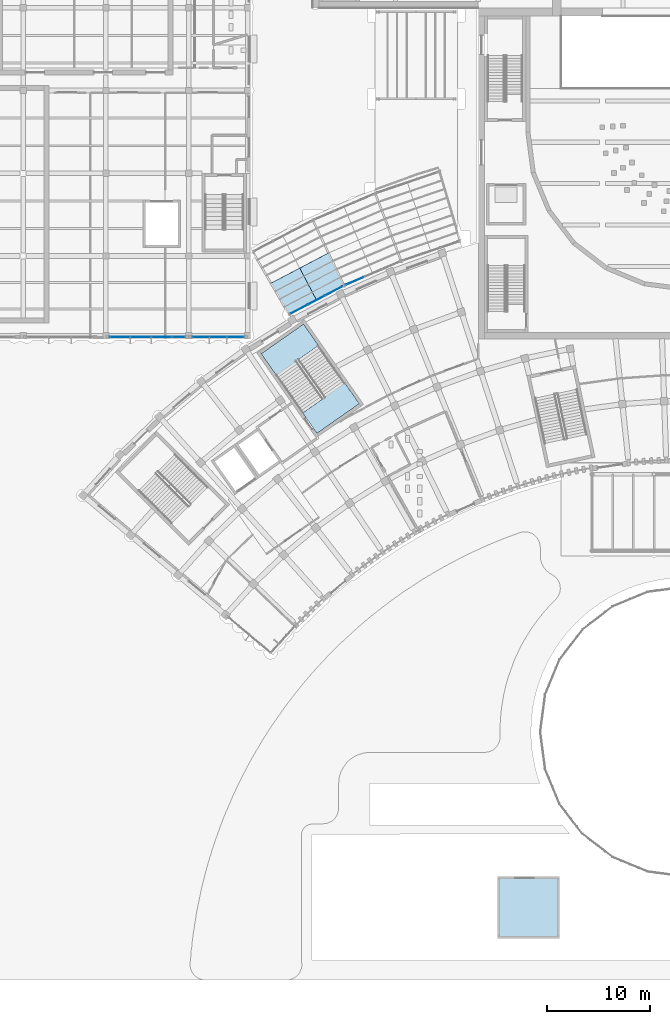
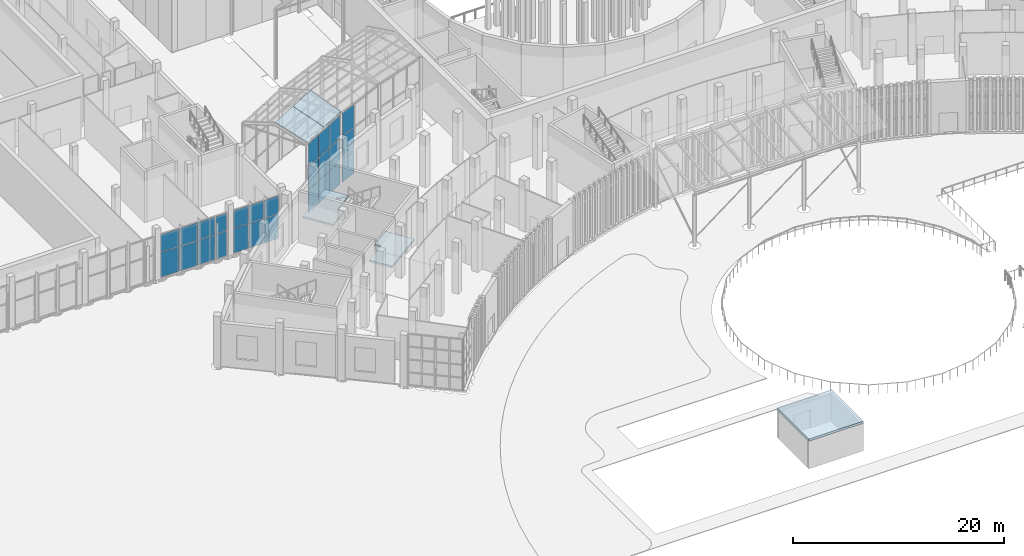
# One storey, part 74 of 155: 28 plates, 3 slabs, 6 elements without a shape of their own.
"""IFC4 building model written with IfcOpenShell, lengths in metres."""

from ifc_helpers import new_model, si_unit, direction, frame, origin, origin_2d, place, context, subcontext, project, spatial, polyline, rectangle, outline, extrude, material, layer, layer_set, type_object, element, aggregate, save


model = new_model("IFC4")

# Units and contexts
model_context = context("Model", 3, precision=1e-05, world=origin(), true_north=direction((0.0, 1.0)))
body_context = subcontext(model_context, "Body", "Model", "MODEL_VIEW")
ifc_project = project(units=[si_unit("LENGTHUNIT", "METRE"), si_unit("AREAUNIT", "SQUARE_METRE"), si_unit("VOLUMEUNIT", "CUBIC_METRE"), si_unit("PLANEANGLEUNIT", "RADIAN"), si_unit("MASSUNIT", "GRAM", prefix="KILO")], contexts=[model_context])

# Site, building, storey
site_placement = place(None, origin())
site = spatial("IfcSite", under=ifc_project, at=site_placement, CompositionType="ELEMENT")
building_placement = place(site_placement, origin())
building = spatial("IfcBuilding", under=site, at=building_placement, Name="Lunette Opera House", CompositionType="ELEMENT")
storey_placement = place(building_placement, origin())
storey = spatial("IfcBuildingStorey", under=building, at=storey_placement, Name="L00", CompositionType="ELEMENT", Elevation=0.0)

# Slab
ifc_material_1 = material(Name="Concrete C35/45", Category="concrete")
ifc_layer_1 = layer(ifc_material_1, 0.219970703125)
ifc_layer_set_1 = layer_set([ifc_layer_1], Name="Concrete C35/45")
slab_type_1 = type_object("IfcSlabType", Name="CORE LANDING SLAB 220", PredefinedType="LANDING", material=ifc_layer_set_1)
slab_1_placement = place(storey_placement, frame((0.0, 0.0, -0.219970703125)))
element("IfcSlab", 1, at=slab_1_placement, inside=storey, type_object=slab_type_1, Name="ST2 floor landing", PredefinedType="LANDING", context=body_context, shape_type="SweptSolid", body=[
    extrude(outline(polyline([(60.39990234375, 54.85107421875), (59.01806640625, 56.824951171875), (60.98388671875, 58.200927734375), (60.989990234375, 58.193115234375), (61.154052734375, 58.30810546875), (60.7529296875, 58.882080078125), (62.718994140625, 60.258056640625), (64.4970703125, 57.718994140625), (60.39990234375, 54.85107421875)])), origin(), (0.0, 0.0, 1.0), 0.219970703125),
])

# Curtain wall, plates
ifc_material_2 = material(Name="Aluminium", Category="aluminium")
ifc_layer_2 = layer(ifc_material_2, 0.139892578125)
ifc_layer_set_2 = layer_set([ifc_layer_2], Name="Aluminium")
curtain_wall_type_1 = type_object("IfcCurtainWallType", Name="PASSAGE CURTAIN WALL", PredefinedType="NOTDEFINED", material=ifc_layer_set_2)
curtain_wall_1_placement = place(storey_placement, origin())
curtain_wall_1 = element("IfcCurtainWall", 2, at=curtain_wall_1_placement, inside=storey, type_object=curtain_wall_type_1, Name="Passage Curtain Wall WI1 L00", PredefinedType="NOTDEFINED")
ifc_material_3 = material(Name="Laminated glass", Category="glass")
ifc_layer_3 = layer(ifc_material_3, 0.028076171875)
ifc_layer_set_3 = layer_set([ifc_layer_3], Name="Laminated glass")
plate_type_1 = type_object("IfcPlateType", Name="CURTAIN PANEL LAMINATED GLASS 28", PredefinedType="CURTAIN_PANEL", material=ifc_layer_set_3)
plate_1_placement = place(storey_placement, frame((58.689208984375, 66.8583984375, 0.06005859375), z_axis=(0.0, 0.0, 1.0), x_axis=(0.885032086135, 0.465530027508, 0.0)))
plate_1 = element("IfcPlate", 3, at=plate_1_placement, type_object=plate_type_1, Name="PP-X2013 panel 1.1", PredefinedType="CURTAIN_PANEL", context=body_context, shape_type="SweptSolid", body=[
    extrude(rectangle(XDim=1.814697265625, YDim=0.028076171875, at=origin_2d()), origin(), (0.0, 0.0, 1.0), 2.610107421875),
])
plate_2_placement = place(storey_placement, frame((58.689208984375, 66.8583984375, 2.72998046875), z_axis=(0.0, 0.0, 1.0), x_axis=(0.885032086135, 0.465530027508, 0.0)))
plate_2 = element("IfcPlate", 4, at=plate_2_placement, type_object=plate_type_1, Name="PP-X2013 panel 1.2", PredefinedType="CURTAIN_PANEL", context=body_context, shape_type="SweptSolid", body=[
    extrude(rectangle(XDim=1.814697265625, YDim=0.028076171875, at=origin_2d()), origin(), (0.0, 0.0, 1.0), 2.639892578125),
])
plate_3_placement = place(storey_placement, frame((58.689208984375, 66.8583984375, 5.43017578125), z_axis=(0.0, 0.0, 1.0), x_axis=(0.885032086135, 0.465530027508, 0.0)))
plate_3 = element("IfcPlate", 5, at=plate_3_placement, type_object=plate_type_1, Name="PP-X2013 panel 1.3", PredefinedType="CURTAIN_PANEL", context=body_context, shape_type="SweptSolid", body=[
    extrude(rectangle(XDim=1.814697265625, YDim=0.028076171875, at=origin_2d()), origin(), (0.0, 0.0, 1.0), 2.610107421875),
])
plate_4_placement = place(storey_placement, frame((60.361572265625, 67.738037109375, 0.06005859375), z_axis=(0.0, 0.0, 1.0), x_axis=(0.885032086135, 0.465530027508, 0.0)))
plate_4 = element("IfcPlate", 6, at=plate_4_placement, type_object=plate_type_1, Name="PP-X2013 panel 2.1", PredefinedType="CURTAIN_PANEL", context=body_context, shape_type="SweptSolid", body=[
    extrude(rectangle(XDim=1.8447265625, YDim=0.028076171875, at=origin_2d()), origin(), (0.0, 0.0, 1.0), 2.610107421875),
])
plate_5_placement = place(storey_placement, frame((60.361572265625, 67.738037109375, 2.72998046875), z_axis=(0.0, 0.0, 1.0), x_axis=(0.885032086135, 0.465530027508, 0.0)))
plate_5 = element("IfcPlate", 7, at=plate_5_placement, type_object=plate_type_1, Name="PP-X2013 panel 2.2", PredefinedType="CURTAIN_PANEL", context=body_context, shape_type="SweptSolid", body=[
    extrude(rectangle(XDim=1.8447265625, YDim=0.028076171875, at=origin_2d()), origin(), (0.0, 0.0, 1.0), 2.639892578125),
])
plate_6_placement = place(storey_placement, frame((60.361572265625, 67.738037109375, 5.43017578125), z_axis=(0.0, 0.0, 1.0), x_axis=(0.885032086135, 0.465530027508, 0.0)))
plate_6 = element("IfcPlate", 8, at=plate_6_placement, type_object=plate_type_1, Name="PP-X2013 panel 2.3", PredefinedType="CURTAIN_PANEL", context=body_context, shape_type="SweptSolid", body=[
    extrude(rectangle(XDim=1.8447265625, YDim=0.028076171875, at=origin_2d()), origin(), (0.0, 0.0, 1.0), 2.610107421875),
])
plate_7_placement = place(storey_placement, frame((62.033935546875, 68.61767578125, 0.06005859375), z_axis=(0.0, 0.0, 1.0), x_axis=(0.885032086135, 0.465530027508, 0.0)))
plate_7 = element("IfcPlate", 9, at=plate_7_placement, type_object=plate_type_1, Name="PP-X2013 panel 3.1", PredefinedType="CURTAIN_PANEL", context=body_context, shape_type="SweptSolid", body=[
    extrude(rectangle(XDim=1.814697265625, YDim=0.028076171875, at=origin_2d()), origin(), (0.0, 0.0, 1.0), 2.610107421875),
])
plate_8_placement = place(storey_placement, frame((62.033935546875, 68.61767578125, 2.72998046875), z_axis=(0.0, 0.0, 1.0), x_axis=(0.885032086135, 0.465530027508, 0.0)))
plate_8 = element("IfcPlate", 10, at=plate_8_placement, type_object=plate_type_1, Name="PP-X2013 panel 3.2", PredefinedType="CURTAIN_PANEL", context=body_context, shape_type="SweptSolid", body=[
    extrude(rectangle(XDim=1.814697265625, YDim=0.028076171875, at=origin_2d()), origin(), (0.0, 0.0, 1.0), 2.639892578125),
])
plate_9_placement = place(storey_placement, frame((62.033935546875, 68.61767578125, 5.43017578125), z_axis=(0.0, 0.0, 1.0), x_axis=(0.885032086135, 0.465530027508, 0.0)))
plate_9 = element("IfcPlate", 11, at=plate_9_placement, type_object=plate_type_1, Name="PP-X2013 panel 3.3", PredefinedType="CURTAIN_PANEL", context=body_context, shape_type="SweptSolid", body=[
    extrude(rectangle(XDim=1.814697265625, YDim=0.028076171875, at=origin_2d()), origin(), (0.0, 0.0, 1.0), 2.610107421875),
])
aggregate(curtain_wall_1, [plate_1, plate_2, plate_3, plate_4, plate_5, plate_6, plate_7, plate_8, plate_9])

curtain_wall_2_placement = place(storey_placement, origin())
curtain_wall_2 = element("IfcCurtainWall", 12, at=curtain_wall_2_placement, inside=storey, type_object=curtain_wall_type_1, Name="Passage Curtain Wall WI2 L00", PredefinedType="NOTDEFINED")
plate_10_placement = place(storey_placement, frame((64.0498046875, 69.578857421875, 0.06005859375), z_axis=(0.0, 0.0, 1.0), x_axis=(0.918764423565, 0.394806198015, 0.0)))
plate_10 = element("IfcPlate", 13, at=plate_10_placement, type_object=plate_type_1, Name="PP-X2014 panel 1.1", PredefinedType="CURTAIN_PANEL", context=body_context, shape_type="SweptSolid", body=[
    extrude(rectangle(XDim=1.814697265625, YDim=0.028076171875, at=origin_2d()), origin(), (0.0, 0.0, 1.0), 2.610107421875),
])
plate_11_placement = place(storey_placement, frame((64.0498046875, 69.578857421875, 2.72998046875), z_axis=(0.0, 0.0, 1.0), x_axis=(0.918764423565, 0.394806198015, 0.0)))
plate_11 = element("IfcPlate", 14, at=plate_11_placement, type_object=plate_type_1, Name="PP-X2014 panel 1.2", PredefinedType="CURTAIN_PANEL", context=body_context, shape_type="SweptSolid", body=[
    extrude(rectangle(XDim=1.814697265625, YDim=0.028076171875, at=origin_2d()), origin(), (0.0, 0.0, 1.0), 2.639892578125),
])
plate_12_placement = place(storey_placement, frame((64.0498046875, 69.578857421875, 5.43017578125), z_axis=(0.0, 0.0, 1.0), x_axis=(0.918764423565, 0.394806198015, 0.0)))
plate_12 = element("IfcPlate", 15, at=plate_12_placement, type_object=plate_type_1, Name="PP-X2014 panel 1.3", PredefinedType="CURTAIN_PANEL", context=body_context, shape_type="SweptSolid", body=[
    extrude(rectangle(XDim=1.814697265625, YDim=0.028076171875, at=origin_2d()), origin(), (0.0, 0.0, 1.0), 2.610107421875),
])
aggregate(curtain_wall_2, [plate_10, plate_11, plate_12])

ifc_material_4 = material(Name="Aluminium", Category="aluminium")
ifc_layer_4 = layer(ifc_material_4, 0.179931640625)
ifc_layer_set_4 = layer_set([ifc_layer_4], Name="Aluminium")
curtain_wall_type_2 = type_object("IfcCurtainWallType", Name="SUN FACE CURTAIN WALL", PredefinedType="NOTDEFINED", material=ifc_layer_set_4)
curtain_wall_3_placement = place(storey_placement, origin())
curtain_wall_3 = element("IfcCurtainWall", 16, at=curtain_wall_3_placement, inside=storey, type_object=curtain_wall_type_2, Name="Sun Face Curtain Wall F17-2 L00", PredefinedType="NOTDEFINED")
plate_13_placement = place(storey_placement, frame((41.355712890625, 64.18310546875, 0.06005859375), z_axis=(0.0, 0.0, 1.0), x_axis=(1.0, 0.0, 0.0)))
plate_13 = element("IfcPlate", 17, at=plate_13_placement, type_object=plate_type_1, Name="RW-X2012 panel 1.1", PredefinedType="CURTAIN_PANEL", context=body_context, shape_type="SweptSolid", body=[
    extrude(rectangle(XDim=1.931396484375, YDim=0.028076171875, at=origin_2d()), origin(), (0.0, 0.0, 1.0), 2.8349609375),
])
plate_14_placement = place(storey_placement, frame((41.355712890625, 64.18310546875, 2.955078125), z_axis=(0.0, 0.0, 1.0), x_axis=(1.0, 0.0, 0.0)))
plate_14 = element("IfcPlate", 18, at=plate_14_placement, type_object=plate_type_1, Name="RW-X2012 panel 1.2", PredefinedType="CURTAIN_PANEL", context=body_context, shape_type="SweptSolid", body=[
    extrude(rectangle(XDim=1.931396484375, YDim=0.028076171875, at=origin_2d()), origin(), (0.0, 0.0, 1.0), 2.034912109375),
])
plate_15_placement = place(storey_placement, frame((43.362060546875, 64.18310546875, 0.06005859375), z_axis=(0.0, 0.0, 1.0), x_axis=(1.0, 0.0, 0.0)))
plate_15 = element("IfcPlate", 19, at=plate_15_placement, type_object=plate_type_1, Name="RW-X2012 panel 2.1", PredefinedType="CURTAIN_PANEL", context=body_context, shape_type="SweptSolid", body=[
    extrude(rectangle(XDim=1.96142578125, YDim=0.028076171875, at=origin_2d()), origin(), (0.0, 0.0, 1.0), 2.8349609375),
])
plate_16_placement = place(storey_placement, frame((43.362060546875, 64.18310546875, 2.955078125), z_axis=(0.0, 0.0, 1.0), x_axis=(1.0, 0.0, 0.0)))
plate_16 = element("IfcPlate", 20, at=plate_16_placement, type_object=plate_type_1, Name="RW-X2012 panel 2.2", PredefinedType="CURTAIN_PANEL", context=body_context, shape_type="SweptSolid", body=[
    extrude(rectangle(XDim=1.96142578125, YDim=0.028076171875, at=origin_2d()), origin(), (0.0, 0.0, 1.0), 2.034912109375),
])
plate_17_placement = place(storey_placement, frame((45.368408203125, 64.18310546875, 0.06005859375), z_axis=(0.0, 0.0, 1.0), x_axis=(1.0, 0.0, 0.0)))
plate_17 = element("IfcPlate", 21, at=plate_17_placement, type_object=plate_type_1, Name="RW-X2012 panel 3.1", PredefinedType="CURTAIN_PANEL", context=body_context, shape_type="SweptSolid", body=[
    extrude(rectangle(XDim=1.931396484375, YDim=0.028076171875, at=origin_2d()), origin(), (0.0, 0.0, 1.0), 2.8349609375),
])
plate_18_placement = place(storey_placement, frame((45.368408203125, 64.18310546875, 2.955078125), z_axis=(0.0, 0.0, 1.0), x_axis=(1.0, 0.0, 0.0)))
plate_18 = element("IfcPlate", 22, at=plate_18_placement, type_object=plate_type_1, Name="RW-X2012 panel 3.2", PredefinedType="CURTAIN_PANEL", context=body_context, shape_type="SweptSolid", body=[
    extrude(rectangle(XDim=1.931396484375, YDim=0.028076171875, at=origin_2d()), origin(), (0.0, 0.0, 1.0), 2.034912109375),
])
aggregate(curtain_wall_3, [plate_13, plate_14, plate_15, plate_16, plate_17, plate_18])

curtain_wall_4_placement = place(storey_placement, origin())
curtain_wall_4 = element("IfcCurtainWall", 23, at=curtain_wall_4_placement, inside=storey, type_object=curtain_wall_type_2, Name="Sun Face Curtain Wall F18-1 L00", PredefinedType="NOTDEFINED")
plate_19_placement = place(storey_placement, frame((47.031982421875, 64.18310546875, 0.06005859375), z_axis=(0.0, 0.0, 1.0), x_axis=(1.0, 0.0, 0.0)))
plate_19 = element("IfcPlate", 24, at=plate_19_placement, type_object=plate_type_1, Name="RW-X2013 panel 1.1", PredefinedType="CURTAIN_PANEL", context=body_context, shape_type="SweptSolid", body=[
    extrude(rectangle(XDim=1.156005859375, YDim=0.028076171875, at=origin_2d()), origin(), (0.0, 0.0, 1.0), 2.8349609375),
])
plate_20_placement = place(storey_placement, frame((47.031982421875, 64.18310546875, 2.955078125), z_axis=(0.0, 0.0, 1.0), x_axis=(1.0, 0.0, 0.0)))
plate_20 = element("IfcPlate", 25, at=plate_20_placement, type_object=plate_type_1, Name="RW-X2013 panel 1.2", PredefinedType="CURTAIN_PANEL", context=body_context, shape_type="SweptSolid", body=[
    extrude(rectangle(XDim=1.156005859375, YDim=0.028076171875, at=origin_2d()), origin(), (0.0, 0.0, 1.0), 2.034912109375),
])
aggregate(curtain_wall_4, [plate_19, plate_20])

curtain_wall_5_placement = place(storey_placement, origin())
curtain_wall_5 = element("IfcCurtainWall", 26, at=curtain_wall_5_placement, inside=storey, type_object=curtain_wall_type_2, Name="Sun Face Curtain Wall F18-2 L00", PredefinedType="NOTDEFINED")
plate_21_placement = place(storey_placement, frame((49.18505859375, 64.18310546875, 0.06005859375), z_axis=(0.0, 0.0, 1.0), x_axis=(1.0, 0.0, 0.0)))
plate_21 = element("IfcPlate", 27, at=plate_21_placement, type_object=plate_type_1, Name="RW-X2014 panel 1.1", PredefinedType="CURTAIN_PANEL", context=body_context, shape_type="SweptSolid", body=[
    extrude(rectangle(XDim=1.590087890625, YDim=0.028076171875, at=origin_2d()), origin(), (0.0, 0.0, 1.0), 2.8349609375),
])
plate_22_placement = place(storey_placement, frame((49.18505859375, 64.18310546875, 2.955078125), z_axis=(0.0, 0.0, 1.0), x_axis=(1.0, 0.0, 0.0)))
plate_22 = element("IfcPlate", 28, at=plate_22_placement, type_object=plate_type_1, Name="RW-X2014 panel 1.2", PredefinedType="CURTAIN_PANEL", context=body_context, shape_type="SweptSolid", body=[
    extrude(rectangle(XDim=1.590087890625, YDim=0.028076171875, at=origin_2d()), origin(), (0.0, 0.0, 1.0), 2.034912109375),
])
plate_23_placement = place(storey_placement, frame((50.85009765625, 64.18310546875, 0.06005859375), z_axis=(0.0, 0.0, 1.0), x_axis=(1.0, 0.0, 0.0)))
plate_23 = element("IfcPlate", 29, at=plate_23_placement, type_object=plate_type_1, Name="RW-X2014 panel 2.1", PredefinedType="CURTAIN_PANEL", context=body_context, shape_type="SweptSolid", body=[
    extrude(rectangle(XDim=1.6201171875, YDim=0.028076171875, at=origin_2d()), origin(), (0.0, 0.0, 1.0), 2.8349609375),
])
plate_24_placement = place(storey_placement, frame((50.85009765625, 64.18310546875, 2.955078125), z_axis=(0.0, 0.0, 1.0), x_axis=(1.0, 0.0, 0.0)))
plate_24 = element("IfcPlate", 30, at=plate_24_placement, type_object=plate_type_1, Name="RW-X2014 panel 2.2", PredefinedType="CURTAIN_PANEL", context=body_context, shape_type="SweptSolid", body=[
    extrude(rectangle(XDim=1.6201171875, YDim=0.028076171875, at=origin_2d()), origin(), (0.0, 0.0, 1.0), 2.034912109375),
])
plate_25_placement = place(storey_placement, frame((52.514892578125, 64.18310546875, 0.06005859375), z_axis=(0.0, 0.0, 1.0), x_axis=(1.0, 0.0, 0.0)))
plate_25 = element("IfcPlate", 31, at=plate_25_placement, type_object=plate_type_1, Name="RW-X2014 panel 3.1", PredefinedType="CURTAIN_PANEL", context=body_context, shape_type="SweptSolid", body=[
    extrude(rectangle(XDim=1.590087890625, YDim=0.028076171875, at=origin_2d()), origin(), (0.0, 0.0, 1.0), 2.8349609375),
])
plate_26_placement = place(storey_placement, frame((52.514892578125, 64.18310546875, 2.955078125), z_axis=(0.0, 0.0, 1.0), x_axis=(1.0, 0.0, 0.0)))
plate_26 = element("IfcPlate", 32, at=plate_26_placement, type_object=plate_type_1, Name="RW-X2014 panel 3.2", PredefinedType="CURTAIN_PANEL", context=body_context, shape_type="SweptSolid", body=[
    extrude(rectangle(XDim=1.590087890625, YDim=0.028076171875, at=origin_2d()), origin(), (0.0, 0.0, 1.0), 2.034912109375),
])
aggregate(curtain_wall_5, [plate_21, plate_22, plate_23, plate_24, plate_25, plate_26])

# Slab
ifc_material_5 = material(Name="Concrete C35/45", Category="concrete")
ifc_layer_5 = layer(ifc_material_5, 0.25)
ifc_layer_set_5 = layer_set([ifc_layer_5], Name="Concrete C35/45")
slab_type_2 = type_object("IfcSlabType", Name="INFORMATION PAVILION ROOF SLAB 250", PredefinedType="ROOF", material=ifc_layer_set_5)
slab_2_placement = place(storey_placement, frame((0.0, 0.0, 3.199951171875)))
element("IfcSlab", 33, at=slab_2_placement, inside=storey, type_object=slab_type_2, Name="Information pavilion roof slab", PredefinedType="ROOF", context=body_context, shape_type="SweptSolid", body=[
    extrude(outline(polyline([(77.875, 6.0), (83.875, 6.0), (83.875, 12.0), (77.875, 12.0), (77.875, 6.0)])), origin(), (0.0, 0.0, 1.0), 0.25),
])

# Plates
ifc_material_6 = material(Name="Laminated glass", Category="glass")
ifc_layer_6 = layer(ifc_material_6, 0.02001953125)
ifc_layer_set_6 = layer_set([ifc_layer_6], Name="Laminated glass")
plate_type_2 = type_object("IfcPlateType", Name="PASSAGE ROOF GLASS 20", PredefinedType="SHEET", material=ifc_layer_set_6)
plate_27_placement = place(storey_placement, frame((57.699951171875, 66.337890625, 8.339111328125), z_axis=(0.139606367168, -0.265487790497, 0.953952983822), x_axis=(0.885053690456, 0.465488952022, 2.3589108e-05)))
element("IfcPlate", 34, at=plate_27_placement, inside=storey, type_object=plate_type_2, Name="Passage roof glass W1A00", PredefinedType="SHEET", context=body_context, shape_type="SweptSolid", body=[
    extrude(outline(polyline([(0.0, 0.0), (3.0078624464291126, 0.0), (3.006178044642544, 3.663221993309492), (-0.13796314358275494, 3.663705798251136), (0.0, 0.0)])), origin(), (0.0, 0.0, -1.0), 0.02001953125),
])
plate_28_placement = place(storey_placement, frame((60.362060546875, 67.738037109375, 8.339111328125), z_axis=(0.139659702448, -0.265496309028, 0.95394280615), x_axis=(0.884998032874, 0.465594761093, 1.5859058e-05)))
element("IfcPlate", 35, at=plate_28_placement, inside=storey, type_object=plate_type_2, Name="Passage roof glass W1A10", PredefinedType="SHEET", context=body_context, shape_type="SweptSolid", body=[
    extrude(outline(polyline([(0.0, 0.0), (3.006668437598488, 0.0), (3.1434230741956837, 3.662896963697541), (-0.0012751099546481225, 3.6632221590566783), (0.0, 0.0)])), origin(), (0.0, 0.0, -1.0), 0.02001953125),
])

# Stair, slab
ifc_material_7 = material(Name="Concrete C35/45", Category="concrete")
stair_type = type_object("IfcStairType", Name="DOGLEG STAIR 2400", PredefinedType="HALF_TURN_STAIR", material=ifc_material_7)
stair_placement = place(storey_placement, origin())
stair = element("IfcStair", 36, at=stair_placement, inside=storey, type_object=stair_type, Name="L00 stair ST2", PredefinedType="HALF_TURN_STAIR")
ifc_material_8 = material(Name="Concrete C35/45", Category="concrete")
ifc_layer_7 = layer(ifc_material_8, 0.199951171875)
ifc_layer_set_7 = layer_set([ifc_layer_7], Name="Concrete C35/45")
slab_type_3 = type_object("IfcSlabType", Name="STAIR LANDING SLAB 200", PredefinedType="LANDING", material=ifc_layer_set_7)
slab_3_placement = place(storey_placement, frame((0.0, 0.0, 2.800048828125)))
slab_3 = element("IfcSlab", 37, at=slab_3_placement, type_object=slab_type_3, Name="ST2 landing 1", PredefinedType="LANDING", context=body_context, shape_type="SweptSolid", body=[
    extrude(outline(polyline([(55.009033203125, 62.552001953125), (59.10498046875, 65.4189453125), (60.556884765625, 63.345947265625), (58.590087890625, 61.969970703125), (58.5849609375, 61.97802734375), (58.419921875, 61.863037109375), (58.822021484375, 61.2900390625), (56.85595703125, 59.9130859375), (55.009033203125, 62.552001953125)])), origin(), (0.0, 0.0, 1.0), 0.199951171875),
])
aggregate(stair, [slab_3])

save(model, "model.ifc")
